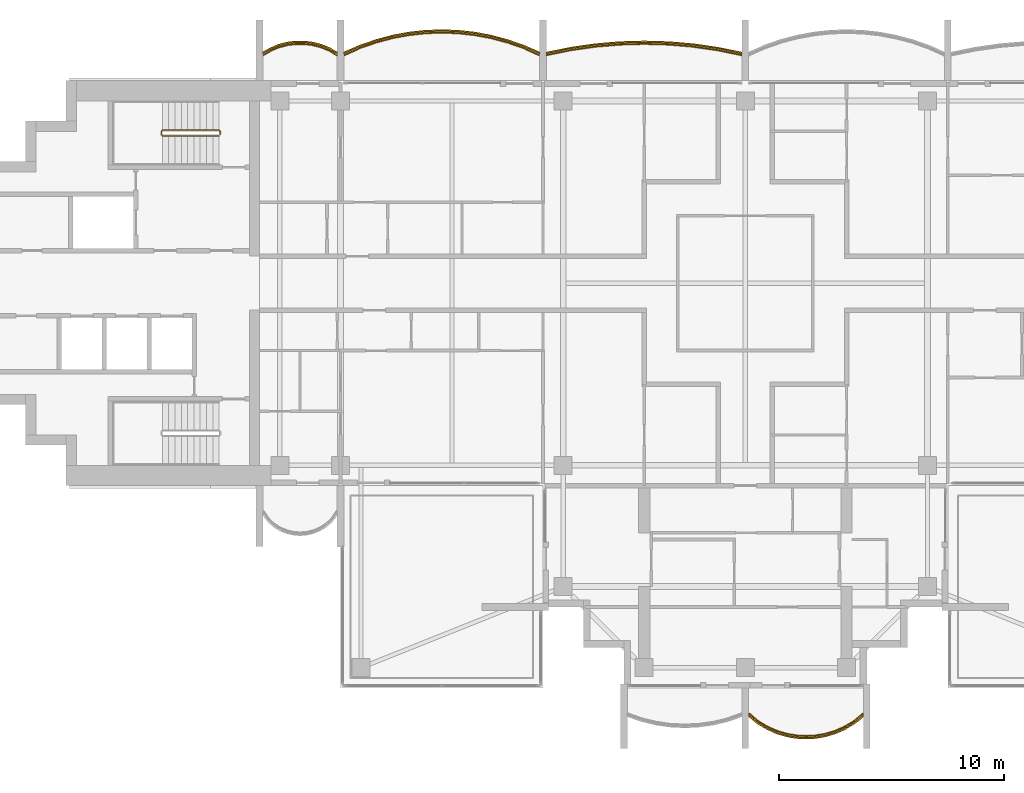
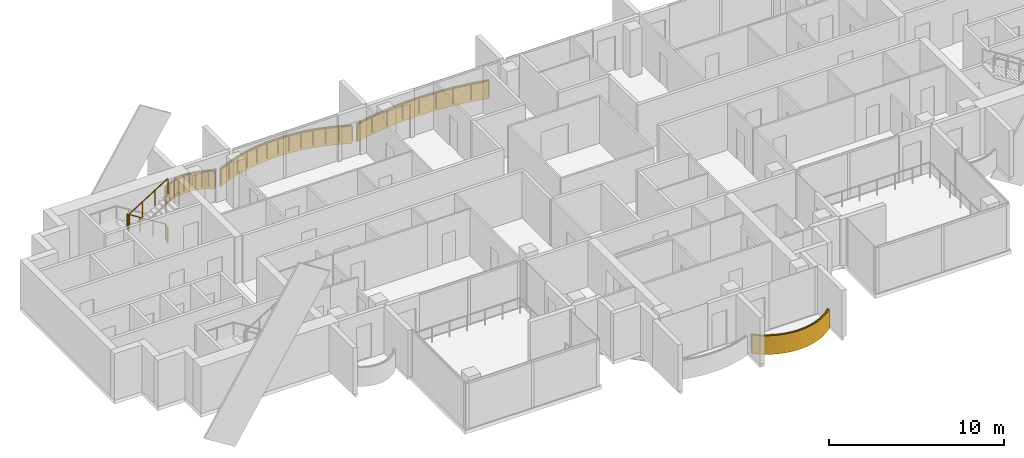
# One storey, part 14 of 16: 5 railings, 4 coverings.
"""IFC4 building model written with IfcOpenShell, lengths in metres."""

from ifc_helpers import new_model, si_unit, direction, frame, origin, origin_2d, place, context, subcontext, project, spatial, polyline, rectangle, outline, extrude, material, layer, layer_set, type_object, element, save


model = new_model("IFC4")

# Units and contexts
model_context = context("Model", 3, precision=1e-05, world=origin(), true_north=direction((0.0, 1.0)))
body_context = subcontext(model_context, "Body", "Model", "MODEL_VIEW")
ifc_project = project(units=[si_unit("LENGTHUNIT", "METRE"), si_unit("AREAUNIT", "SQUARE_METRE"), si_unit("VOLUMEUNIT", "CUBIC_METRE"), si_unit("PLANEANGLEUNIT", "RADIAN"), si_unit("MASSUNIT", "GRAM", prefix="KILO")], contexts=[model_context])

# Site, building, storey
site_placement = place(None, origin())
site = spatial("IfcSite", under=ifc_project, at=site_placement, CompositionType="ELEMENT")
building_placement = place(site_placement, origin())
building = spatial("IfcBuilding", under=site, at=building_placement, Name="Perihelion Cross Residences", CompositionType="ELEMENT")
storey_placement = place(building_placement, frame((0.0, 0.0, 271.0)))
storey = spatial("IfcBuildingStorey", under=building, at=storey_placement, Name="L69", CompositionType="ELEMENT", Elevation=271.0)

# Coverings
ifc_material_1 = material(Name="Bronze anodised aluminium", Category="aluminium")
ifc_layer = layer(ifc_material_1, 0.070068359375)
ifc_layer_set = layer_set([ifc_layer], Name="Balcony fascia 1300")
covering_type = type_object("IfcCoveringType", Name="Balcony fascia 1300", PredefinedType="CLADDING", material=ifc_layer_set)
covering_1_placement = place(storey_placement, frame((0.0, 0.0, -0.199951171875)))
element("IfcCovering", 1, at=covering_1_placement, inside=storey, type_object=covering_type, Name="Fascia BF1 L69 north side east bay 2", PredefinedType="CLADDING", context=body_context, shape_type="SweptSolid", body=[
    extrude(outline(polyline([(-1.2255859375, 10.4892578125), (-2.317138671875, 10.645751953125), (-3.408447265625, 10.739013671875), (-4.5, 10.77001953125), (-5.591552734375, 10.739013671875), (-6.682861328125, 10.645751953125), (-7.7744140625, 10.4892578125), (-8.85009765625, 10.271484375), (-8.85009765625, 10.199951171875), (-7.762451171875, 10.42041015625), (-6.675048828125, 10.576171875), (-5.58740234375, 10.669189453125), (-4.5, 10.699951171875), (-3.41259765625, 10.669189453125), (-2.324951171875, 10.576171875), (-1.237548828125, 10.42041015625), (-0.14990234375, 10.199951171875), (-0.14990234375, 10.271484375), (-1.2255859375, 10.4892578125)])), origin(), (0.0, 0.0, 1.0), 1.300048828125),
])
covering_2_placement = place(storey_placement, frame((0.0, 0.0, -0.199951171875)))
element("IfcCovering", 2, at=covering_2_placement, inside=storey, type_object=covering_type, Name="Fascia BF1 L69 west side north bay 1", PredefinedType="CLADDING", context=body_context, shape_type="SweptSolid", body=[
    extrude(outline(polyline([(-9.849365234375, 10.582275390625), (-10.57958984375, 10.83544921875), (-11.309814453125, 11.028076171875), (-12.039794921875, 11.1630859375), (-12.77001953125, 11.243408203125), (-13.5, 11.27001953125), (-14.22998046875, 11.243408203125), (-14.960205078125, 11.1630859375), (-15.690185546875, 11.028076171875), (-16.42041015625, 10.83544921875), (-17.150634765625, 10.582275390625), (-17.85009765625, 10.2763671875), (-17.85009765625, 10.199951171875), (-17.125, 10.51708984375), (-16.39990234375, 10.7685546875), (-15.675048828125, 10.959716796875), (-14.949951171875, 11.093994140625), (-14.22509765625, 11.173583984375), (-13.5, 11.199951171875), (-12.77490234375, 11.173583984375), (-12.050048828125, 11.093994140625), (-11.324951171875, 10.959716796875), (-10.60009765625, 10.7685546875), (-9.875, 10.51708984375), (-9.14990234375, 10.199951171875), (-9.14990234375, 10.2763671875), (-9.849365234375, 10.582275390625)])), origin(), (0.0, 0.0, 1.0), 1.300048828125),
])
covering_3_placement = place(storey_placement, frame((0.0, 0.0, -0.199951171875)))
element("IfcCovering", 3, at=covering_3_placement, inside=storey, type_object=covering_type, Name="Fascia BF1 L69 west side north bay 2", PredefinedType="CLADDING", context=body_context, shape_type="SweptSolid", body=[
    extrude(outline(polyline([(-18.486328125, 10.4716796875), (-18.861572265625, 10.62158203125), (-19.237060546875, 10.717529296875), (-19.6123046875, 10.76416015625), (-19.987548828125, 10.76416015625), (-20.363037109375, 10.717529296875), (-20.73828125, 10.62158203125), (-21.11376953125, 10.4716796875), (-21.449951171875, 10.280517578125), (-21.449951171875, 10.199951171875), (-21.083251953125, 10.40869140625), (-20.716552734375, 10.55517578125), (-20.35009765625, 10.648681640625), (-19.9833984375, 10.6943359375), (-19.61669921875, 10.6943359375), (-19.25, 10.648681640625), (-18.88330078125, 10.55517578125), (-18.5166015625, 10.40869140625), (-18.14990234375, 10.199951171875), (-18.14990234375, 10.280517578125), (-18.486328125, 10.4716796875)])), origin(), (0.0, 0.0, 1.0), 1.300048828125),
])
covering_4_placement = place(storey_placement, frame((0.0, 0.0, -0.199951171875)))
element("IfcCovering", 4, at=covering_4_placement, inside=storey, type_object=covering_type, Name="Fascia BF1 L69 south tip south bay 2", PredefinedType="CLADDING", context=body_context, shape_type="SweptSolid", body=[
    extrude(outline(polyline([(0.53515625, -19.59765625), (0.96826171875, -19.85498046875), (1.401123046875, -20.04248046875), (1.833984375, -20.170654296875), (2.26708984375, -20.245361328125), (2.699951171875, -20.27001953125), (3.133056640625, -20.245361328125), (3.56591796875, -20.170654296875), (3.998779296875, -20.04248046875), (4.431884765625, -19.85498046875), (4.86474609375, -19.59765625), (5.25, -19.28955078125), (5.25, -19.199951171875), (4.824951171875, -19.5400390625), (4.39990234375, -19.792724609375), (3.97509765625, -19.9765625), (3.550048828125, -20.1025390625), (3.125, -20.17578125), (2.699951171875, -20.199951171875), (2.27490234375, -20.17578125), (1.85009765625, -20.1025390625), (1.425048828125, -19.9765625), (1.0, -19.792724609375), (0.574951171875, -19.5400390625), (0.14990234375, -19.199951171875), (0.14990234375, -19.28955078125), (0.53515625, -19.59765625)])), origin(), (0.0, 0.0, 1.0), 1.300048828125),
])

# Railings
ifc_material_2 = material(Name="Bronze anodised aluminium", Category="aluminium")
railing_type_1 = type_object("IfcRailingType", Name="Balcony guard 1100", PredefinedType="GUARDRAIL", material=ifc_material_2)
railing_1_placement = place(storey_placement, frame((-0.175048828125, 10.139892578125, 0.0)))
element("IfcRailing", 5, at=railing_1_placement, inside=storey, type_object=railing_type_1, Name="Guard GU1 L69 north side east bay 2 balcony", PredefinedType="GUARDRAIL", context=body_context, shape_type="SweptSolid", body=[
    extrude(rectangle(XDim=0.048095703125, YDim=0.048095703125, at=origin_2d()), frame((0.0, 0.0, 1.076171875), z_axis=(-0.979144816647, 0.203163549961, 0.0), x_axis=(-0.203163549961, -0.979144816647, 0.0)), (0.0, 0.0, 1.0), 1.085205078125),
    extrude(rectangle(XDim=0.048095703125, YDim=0.048095703125, at=origin_2d()), frame((-1.0625, 0.220458984375, 1.076171875), z_axis=(-0.98989608354, 0.141794724135, 0.0), x_axis=(-0.141794724135, -0.98989608354, 0.0)), (0.0, 0.0, 1.0), 1.098388671875),
    extrude(rectangle(XDim=0.048095703125, YDim=0.048095703125, at=origin_2d()), frame((-2.14990234375, 0.376220703125, 1.076171875), z_axis=(-0.996362942492, 0.085210837506, 0.0), x_axis=(-0.085210837506, -0.996362942492, 0.0)), (0.0, 0.0, 1.0), 1.091552734375),
    extrude(rectangle(XDim=0.048095703125, YDim=0.048095703125, at=origin_2d()), frame((-3.237548828125, 0.46923828125, 1.076171875), z_axis=(-0.999600101203, 0.028277865458, 0.0), x_axis=(-0.028277865458, -0.999600101203, 0.0)), (0.0, 0.0, 1.0), 1.087890625),
    extrude(rectangle(XDim=0.048095703125, YDim=0.048095703125, at=origin_2d()), frame((-4.324951171875, 0.5, 1.076171875), z_axis=(-0.999600101203, -0.028277865458, 0.0), x_axis=(0.028277865458, -0.999600101203, 0.0)), (0.0, 0.0, 1.0), 1.087890625),
    extrude(rectangle(XDim=0.048095703125, YDim=0.048095703125, at=origin_2d()), frame((-5.412353515625, 0.46923828125, 1.076171875), z_axis=(-0.996362942492, -0.085210837506, 0.0), x_axis=(0.085210837506, -0.996362942492, 0.0)), (0.0, 0.0, 1.0), 1.091552734375),
    extrude(rectangle(XDim=0.048095703125, YDim=0.048095703125, at=origin_2d()), frame((-6.5, 0.376220703125, 1.076171875), z_axis=(-0.98989608354, -0.141794724135, 0.0), x_axis=(0.141794724135, -0.98989608354, 0.0)), (0.0, 0.0, 1.0), 1.098388671875),
    extrude(rectangle(XDim=0.048095703125, YDim=0.048095703125, at=origin_2d()), frame((-7.58740234375, 0.220458984375, 1.076171875), z_axis=(-0.979144816647, -0.203163549961, 0.0), x_axis=(0.203163549961, -0.979144816647, 0.0)), (0.0, 0.0, 1.0), 1.085205078125),
    extrude(rectangle(XDim=0.0419921875, YDim=0.0419921875, at=origin_2d()), origin(), (0.0, 0.0, 1.0), 1.052001953125),
    extrude(rectangle(XDim=0.0419921875, YDim=0.0419921875, at=origin_2d()), frame((-1.0625, 0.220458984375, 0.0)), (0.0, 0.0, 1.0), 1.052001953125),
    extrude(rectangle(XDim=0.0419921875, YDim=0.0419921875, at=origin_2d()), frame((-2.14990234375, 0.376220703125, 0.0)), (0.0, 0.0, 1.0), 1.052001953125),
    extrude(rectangle(XDim=0.0419921875, YDim=0.0419921875, at=origin_2d()), frame((-3.237548828125, 0.46923828125, 0.0)), (0.0, 0.0, 1.0), 1.052001953125),
    extrude(rectangle(XDim=0.0419921875, YDim=0.0419921875, at=origin_2d()), frame((-4.324951171875, 0.5, 0.0)), (0.0, 0.0, 1.0), 1.052001953125),
    extrude(rectangle(XDim=0.0419921875, YDim=0.0419921875, at=origin_2d()), frame((-5.412353515625, 0.46923828125, 0.0)), (0.0, 0.0, 1.0), 1.052001953125),
    extrude(rectangle(XDim=0.0419921875, YDim=0.0419921875, at=origin_2d()), frame((-6.5, 0.376220703125, 0.0)), (0.0, 0.0, 1.0), 1.052001953125),
    extrude(rectangle(XDim=0.0419921875, YDim=0.0419921875, at=origin_2d()), frame((-7.58740234375, 0.220458984375, 0.0)), (0.0, 0.0, 1.0), 1.052001953125),
    extrude(rectangle(XDim=0.0419921875, YDim=0.0419921875, at=origin_2d()), frame((-8.64990234375, 0.0, 0.0)), (0.0, 0.0, 1.0), 1.052001953125),
])
railing_2_placement = place(storey_placement, frame((-9.175048828125, 10.139892578125, 0.0)))
element("IfcRailing", 6, at=railing_2_placement, inside=storey, type_object=railing_type_1, Name="Guard GU1 L69 west side north bay 1 balcony", PredefinedType="GUARDRAIL", context=body_context, shape_type="SweptSolid", body=[
    extrude(rectangle(XDim=0.048095703125, YDim=0.048095703125, at=origin_2d()), frame((0.0, 0.0, 1.076171875), z_axis=(-0.910866309087, 0.412701547089, 0.0), x_axis=(-0.412701547089, -0.910866309087, 0.0)), (0.0, 0.0, 1.0), 0.7685546875),
    extrude(rectangle(XDim=0.048095703125, YDim=0.048095703125, at=origin_2d()), frame((-0.699951171875, 0.317138671875, 1.076171875), z_axis=(-0.944796812452, 0.327656807012, 0.0), x_axis=(-0.327656807012, -0.944796812452, 0.0)), (0.0, 0.0, 1.0), 0.767578125),
    extrude(rectangle(XDim=0.048095703125, YDim=0.048095703125, at=origin_2d()), frame((-1.425048828125, 0.568603515625, 1.076171875), z_axis=(-0.966939404945, 0.255006249266, 0.0), x_axis=(-0.255006249266, -0.966939404945, 0.0)), (0.0, 0.0, 1.0), 0.749755859375),
    extrude(rectangle(XDim=0.048095703125, YDim=0.048095703125, at=origin_2d()), frame((-2.14990234375, 0.759765625, 1.076171875), z_axis=(-0.983282004984, 0.182089260182, 0.0), x_axis=(-0.182089260182, -0.983282004984, 0.0)), (0.0, 0.0, 1.0), 0.7373046875),
    extrude(rectangle(XDim=0.048095703125, YDim=0.048095703125, at=origin_2d()), frame((-2.875, 0.89404296875, 1.076171875), z_axis=(-0.994025805622, 0.109145305703, 0.0), x_axis=(-0.109145305703, -0.994025805622, 0.0)), (0.0, 0.0, 1.0), 0.729248046875),
    extrude(rectangle(XDim=0.048095703125, YDim=0.048095703125, at=origin_2d()), frame((-3.599853515625, 0.9736328125, 1.076171875), z_axis=(-0.999339497946, 0.036339618107, 0.0), x_axis=(-0.036339618107, -0.999339497946, 0.0)), (0.0, 0.0, 1.0), 0.7255859375),
    extrude(rectangle(XDim=0.048095703125, YDim=0.048095703125, at=origin_2d()), frame((-4.324951171875, 1.0, 1.076171875), z_axis=(-0.999339497946, -0.036339618107, 0.0), x_axis=(0.036339618107, -0.999339497946, 0.0)), (0.0, 0.0, 1.0), 0.7255859375),
    extrude(rectangle(XDim=0.048095703125, YDim=0.048095703125, at=origin_2d()), frame((-5.050048828125, 0.9736328125, 1.076171875), z_axis=(-0.994025805622, -0.109145305703, 0.0), x_axis=(0.109145305703, -0.994025805622, 0.0)), (0.0, 0.0, 1.0), 0.729248046875),
    extrude(rectangle(XDim=0.048095703125, YDim=0.048095703125, at=origin_2d()), frame((-5.77490234375, 0.89404296875, 1.076171875), z_axis=(-0.983282004984, -0.182089260182, 0.0), x_axis=(0.182089260182, -0.983282004984, 0.0)), (0.0, 0.0, 1.0), 0.7373046875),
    extrude(rectangle(XDim=0.048095703125, YDim=0.048095703125, at=origin_2d()), frame((-6.5, 0.759765625, 1.076171875), z_axis=(-0.966939404945, -0.255006249266, 0.0), x_axis=(0.255006249266, -0.966939404945, 0.0)), (0.0, 0.0, 1.0), 0.749755859375),
    extrude(rectangle(XDim=0.048095703125, YDim=0.048095703125, at=origin_2d()), frame((-7.224853515625, 0.568603515625, 1.076171875), z_axis=(-0.944796812452, -0.327656807012, 0.0), x_axis=(0.327656807012, -0.944796812452, 0.0)), (0.0, 0.0, 1.0), 0.767578125),
    extrude(rectangle(XDim=0.048095703125, YDim=0.048095703125, at=origin_2d()), frame((-7.949951171875, 0.317138671875, 1.076171875), z_axis=(-0.910866309087, -0.412701547089, 0.0), x_axis=(0.412701547089, -0.910866309087, 0.0)), (0.0, 0.0, 1.0), 0.7685546875),
    extrude(rectangle(XDim=0.0419921875, YDim=0.0419921875, at=origin_2d()), origin(), (0.0, 0.0, 1.0), 1.052001953125),
    extrude(rectangle(XDim=0.0419921875, YDim=0.0419921875, at=origin_2d()), frame((-0.699951171875, 0.317138671875, 0.0)), (0.0, 0.0, 1.0), 1.052001953125),
    extrude(rectangle(XDim=0.0419921875, YDim=0.0419921875, at=origin_2d()), frame((-1.425048828125, 0.568603515625, 0.0)), (0.0, 0.0, 1.0), 1.052001953125),
    extrude(rectangle(XDim=0.0419921875, YDim=0.0419921875, at=origin_2d()), frame((-2.14990234375, 0.759765625, 0.0)), (0.0, 0.0, 1.0), 1.052001953125),
    extrude(rectangle(XDim=0.0419921875, YDim=0.0419921875, at=origin_2d()), frame((-2.875, 0.89404296875, 0.0)), (0.0, 0.0, 1.0), 1.052001953125),
    extrude(rectangle(XDim=0.0419921875, YDim=0.0419921875, at=origin_2d()), frame((-3.599853515625, 0.9736328125, 0.0)), (0.0, 0.0, 1.0), 1.052001953125),
    extrude(rectangle(XDim=0.0419921875, YDim=0.0419921875, at=origin_2d()), frame((-4.324951171875, 1.0, 0.0)), (0.0, 0.0, 1.0), 1.052001953125),
    extrude(rectangle(XDim=0.0419921875, YDim=0.0419921875, at=origin_2d()), frame((-5.050048828125, 0.9736328125, 0.0)), (0.0, 0.0, 1.0), 1.052001953125),
    extrude(rectangle(XDim=0.0419921875, YDim=0.0419921875, at=origin_2d()), frame((-5.77490234375, 0.89404296875, 0.0)), (0.0, 0.0, 1.0), 1.052001953125),
    extrude(rectangle(XDim=0.0419921875, YDim=0.0419921875, at=origin_2d()), frame((-6.5, 0.759765625, 0.0)), (0.0, 0.0, 1.0), 1.052001953125),
    extrude(rectangle(XDim=0.0419921875, YDim=0.0419921875, at=origin_2d()), frame((-7.224853515625, 0.568603515625, 0.0)), (0.0, 0.0, 1.0), 1.052001953125),
    extrude(rectangle(XDim=0.0419921875, YDim=0.0419921875, at=origin_2d()), frame((-7.949951171875, 0.317138671875, 0.0)), (0.0, 0.0, 1.0), 1.052001953125),
    extrude(rectangle(XDim=0.0419921875, YDim=0.0419921875, at=origin_2d()), frame((-8.64990234375, 0.0, 0.0)), (0.0, 0.0, 1.0), 1.052001953125),
])
railing_3_placement = place(storey_placement, frame((-18.175048828125, 10.139892578125, 0.0)))
element("IfcRailing", 7, at=railing_3_placement, inside=storey, type_object=railing_type_1, Name="Guard GU1 L69 west side north bay 2 balcony", PredefinedType="GUARDRAIL", context=body_context, shape_type="SweptSolid", body=[
    extrude(rectangle(XDim=0.048095703125, YDim=0.048095703125, at=origin_2d()), frame((0.0, 0.0, 1.076171875), z_axis=(-0.853266756821, 0.52147467983, 0.0), x_axis=(-0.52147467983, -0.853266756821, 0.0)), (0.0, 0.0, 1.0), 0.400390625),
    extrude(rectangle(XDim=0.048095703125, YDim=0.048095703125, at=origin_2d()), frame((-0.341552734375, 0.208740234375, 1.076171875), z_axis=(-0.928647151248, 0.37096424151, 0.0), x_axis=(-0.37096424151, -0.928647151248, 0.0)), (0.0, 0.0, 1.0), 0.394775390625),
    extrude(rectangle(XDim=0.048095703125, YDim=0.048095703125, at=origin_2d()), frame((-0.708251953125, 0.355224609375, 1.076171875), z_axis=(-0.968993337782, 0.247086849781, 0.0), x_axis=(-0.247086849781, -0.968993337782, 0.0)), (0.0, 0.0, 1.0), 0.37841796875),
    extrude(rectangle(XDim=0.048095703125, YDim=0.048095703125, at=origin_2d()), frame((-1.074951171875, 0.44873046875, 1.076171875), z_axis=(-0.992338742457, 0.123546834114, 0.0), x_axis=(-0.123546834114, -0.992338742457, 0.0)), (0.0, 0.0, 1.0), 0.36962890625),
    extrude(rectangle(XDim=0.048095703125, YDim=0.048095703125, at=origin_2d()), frame((-1.441650390625, 0.494384765625, 1.076171875), z_axis=(-1.0, 0.0, 0.0), x_axis=(0.0, -1.0, 0.0)), (0.0, 0.0, 1.0), 0.36669921875),
    extrude(rectangle(XDim=0.048095703125, YDim=0.048095703125, at=origin_2d()), frame((-1.808349609375, 0.494384765625, 1.076171875), z_axis=(-0.992338742457, -0.123546834114, 0.0), x_axis=(0.123546834114, -0.992338742457, 0.0)), (0.0, 0.0, 1.0), 0.36962890625),
    extrude(rectangle(XDim=0.048095703125, YDim=0.048095703125, at=origin_2d()), frame((-2.175048828125, 0.44873046875, 1.076171875), z_axis=(-0.968953914071, -0.247241405123, 0.0), x_axis=(0.247241405123, -0.968953914071, 0.0)), (0.0, 0.0, 1.0), 0.378173828125),
    extrude(rectangle(XDim=0.048095703125, YDim=0.048095703125, at=origin_2d()), frame((-2.54150390625, 0.355224609375, 1.076171875), z_axis=(-0.928647151248, -0.37096424151, 0.0), x_axis=(0.37096424151, -0.928647151248, 0.0)), (0.0, 0.0, 1.0), 0.394775390625),
    extrude(rectangle(XDim=0.048095703125, YDim=0.048095703125, at=origin_2d()), frame((-2.908203125, 0.208740234375, 1.076171875), z_axis=(-0.853432484338, -0.521203410078, 0.0), x_axis=(0.521203410078, -0.853432484338, 0.0)), (0.0, 0.0, 1.0), 0.400390625),
    extrude(rectangle(XDim=0.0419921875, YDim=0.0419921875, at=origin_2d()), origin(), (0.0, 0.0, 1.0), 1.052001953125),
    extrude(rectangle(XDim=0.0419921875, YDim=0.0419921875, at=origin_2d()), frame((-0.341552734375, 0.208740234375, 0.0)), (0.0, 0.0, 1.0), 1.052001953125),
    extrude(rectangle(XDim=0.0419921875, YDim=0.0419921875, at=origin_2d()), frame((-0.708251953125, 0.355224609375, 0.0)), (0.0, 0.0, 1.0), 1.052001953125),
    extrude(rectangle(XDim=0.0419921875, YDim=0.0419921875, at=origin_2d()), frame((-1.074951171875, 0.44873046875, 0.0)), (0.0, 0.0, 1.0), 1.052001953125),
    extrude(rectangle(XDim=0.0419921875, YDim=0.0419921875, at=origin_2d()), frame((-1.441650390625, 0.494384765625, 0.0)), (0.0, 0.0, 1.0), 1.052001953125),
    extrude(rectangle(XDim=0.0419921875, YDim=0.0419921875, at=origin_2d()), frame((-1.808349609375, 0.494384765625, 0.0)), (0.0, 0.0, 1.0), 1.052001953125),
    extrude(rectangle(XDim=0.0419921875, YDim=0.0419921875, at=origin_2d()), frame((-2.175048828125, 0.44873046875, 0.0)), (0.0, 0.0, 1.0), 1.052001953125),
    extrude(rectangle(XDim=0.0419921875, YDim=0.0419921875, at=origin_2d()), frame((-2.54150390625, 0.355224609375, 0.0)), (0.0, 0.0, 1.0), 1.052001953125),
    extrude(rectangle(XDim=0.0419921875, YDim=0.0419921875, at=origin_2d()), frame((-2.908203125, 0.208740234375, 0.0)), (0.0, 0.0, 1.0), 1.052001953125),
    extrude(rectangle(XDim=0.0419921875, YDim=0.0419921875, at=origin_2d()), frame((-3.25, 0.0, 0.0)), (0.0, 0.0, 1.0), 1.052001953125),
])
railing_4_placement = place(storey_placement, frame((0.175048828125, -19.139892578125, 0.0)))
element("IfcRailing", 8, at=railing_4_placement, inside=storey, type_object=railing_type_1, Name="Guard GU1 L69 south tip south bay 2 balcony", PredefinedType="GUARDRAIL", context=body_context, shape_type="SweptSolid", body=[
    extrude(rectangle(XDim=0.048095703125, YDim=0.048095703125, at=origin_2d()), frame((0.0, 0.0, 1.076171875), z_axis=(0.761778647315, -0.647837396648, 0.0), x_axis=(0.647837396648, 0.761778647315, 0.0)), (0.0, 0.0, 1.0), 0.52490234375),
    extrude(rectangle(XDim=0.048095703125, YDim=0.048095703125, at=origin_2d()), frame((0.39990234375, -0.340087890625, 1.076171875), z_axis=(0.859576918062, -0.511006381501, 0.0), x_axis=(0.511006381501, 0.859576918062, 0.0)), (0.0, 0.0, 1.0), 0.494384765625),
    extrude(rectangle(XDim=0.048095703125, YDim=0.048095703125, at=origin_2d()), frame((0.824951171875, -0.5927734375, 1.076171875), z_axis=(0.917638931453, -0.397415137459, 0.0), x_axis=(0.397415137459, 0.917638931453, 0.0)), (0.0, 0.0, 1.0), 0.463134765625),
    extrude(rectangle(XDim=0.048095703125, YDim=0.048095703125, at=origin_2d()), frame((1.25, -0.77685546875, 1.076171875), z_axis=(0.958925815697, -0.283656975924, 0.0), x_axis=(0.283656975924, 0.958925815697, 0.0)), (0.0, 0.0, 1.0), 0.443359375),
    extrude(rectangle(XDim=0.048095703125, YDim=0.048095703125, at=origin_2d()), frame((1.675048828125, -0.902587890625, 1.076171875), z_axis=(0.985365142702, -0.170456843651, 0.0), x_axis=(0.170456843651, 0.985365142702, 0.0)), (0.0, 0.0, 1.0), 0.43115234375),
    extrude(rectangle(XDim=0.048095703125, YDim=0.048095703125, at=origin_2d()), frame((2.099853515625, -0.97607421875, 1.076171875), z_axis=(0.9984195016, -0.056200523353, 0.0), x_axis=(0.056200523353, 0.9984195016, 0.0)), (0.0, 0.0, 1.0), 0.42578125),
    extrude(rectangle(XDim=0.048095703125, YDim=0.048095703125, at=origin_2d()), frame((2.52490234375, -1.0, 1.076171875), z_axis=(0.9984195016, 0.056200523353, 0.0), x_axis=(-0.056200523353, 0.9984195016, 0.0)), (0.0, 0.0, 1.0), 0.42578125),
    extrude(rectangle(XDim=0.048095703125, YDim=0.048095703125, at=origin_2d()), frame((2.949951171875, -0.97607421875, 1.076171875), z_axis=(0.985381583142, 0.17036177859, 0.0), x_axis=(-0.17036177859, 0.985381583142, 0.0)), (0.0, 0.0, 1.0), 0.431396484375),
    extrude(rectangle(XDim=0.048095703125, YDim=0.048095703125, at=origin_2d()), frame((3.375, -0.902587890625, 1.076171875), z_axis=(0.958925815697, 0.283656975924, 0.0), x_axis=(-0.283656975924, 0.958925815697, 0.0)), (0.0, 0.0, 1.0), 0.443359375),
    extrude(rectangle(XDim=0.048095703125, YDim=0.048095703125, at=origin_2d()), frame((3.800048828125, -0.77685546875, 1.076171875), z_axis=(0.91755562531, 0.397607437634, 0.0), x_axis=(-0.397607437634, 0.91755562531, 0.0)), (0.0, 0.0, 1.0), 0.462890625),
    extrude(rectangle(XDim=0.048095703125, YDim=0.048095703125, at=origin_2d()), frame((4.224853515625, -0.5927734375, 1.076171875), z_axis=(0.859576918062, 0.511006381501, 0.0), x_axis=(-0.511006381501, 0.859576918062, 0.0)), (0.0, 0.0, 1.0), 0.494384765625),
    extrude(rectangle(XDim=0.048095703125, YDim=0.048095703125, at=origin_2d()), frame((4.64990234375, -0.340087890625, 1.076171875), z_axis=(0.761973728849, 0.647607934281, 0.0), x_axis=(-0.647607934281, 0.761973728849, 0.0)), (0.0, 0.0, 1.0), 0.525146484375),
    extrude(rectangle(XDim=0.0419921875, YDim=0.0419921875, at=origin_2d()), origin(), (0.0, 0.0, 1.0), 1.052001953125),
    extrude(rectangle(XDim=0.0419921875, YDim=0.0419921875, at=origin_2d()), frame((0.39990234375, -0.340087890625, 0.0)), (0.0, 0.0, 1.0), 1.052001953125),
    extrude(rectangle(XDim=0.0419921875, YDim=0.0419921875, at=origin_2d()), frame((0.824951171875, -0.5927734375, 0.0)), (0.0, 0.0, 1.0), 1.052001953125),
    extrude(rectangle(XDim=0.0419921875, YDim=0.0419921875, at=origin_2d()), frame((1.25, -0.77685546875, 0.0)), (0.0, 0.0, 1.0), 1.052001953125),
    extrude(rectangle(XDim=0.0419921875, YDim=0.0419921875, at=origin_2d()), frame((1.675048828125, -0.902587890625, 0.0)), (0.0, 0.0, 1.0), 1.052001953125),
    extrude(rectangle(XDim=0.0419921875, YDim=0.0419921875, at=origin_2d()), frame((2.099853515625, -0.97607421875, 0.0)), (0.0, 0.0, 1.0), 1.052001953125),
    extrude(rectangle(XDim=0.0419921875, YDim=0.0419921875, at=origin_2d()), frame((2.52490234375, -1.0, 0.0)), (0.0, 0.0, 1.0), 1.052001953125),
    extrude(rectangle(XDim=0.0419921875, YDim=0.0419921875, at=origin_2d()), frame((2.949951171875, -0.97607421875, 0.0)), (0.0, 0.0, 1.0), 1.052001953125),
    extrude(rectangle(XDim=0.0419921875, YDim=0.0419921875, at=origin_2d()), frame((3.375, -0.902587890625, 0.0)), (0.0, 0.0, 1.0), 1.052001953125),
    extrude(rectangle(XDim=0.0419921875, YDim=0.0419921875, at=origin_2d()), frame((3.800048828125, -0.77685546875, 0.0)), (0.0, 0.0, 1.0), 1.052001953125),
    extrude(rectangle(XDim=0.0419921875, YDim=0.0419921875, at=origin_2d()), frame((4.224853515625, -0.5927734375, 0.0)), (0.0, 0.0, 1.0), 1.052001953125),
    extrude(rectangle(XDim=0.0419921875, YDim=0.0419921875, at=origin_2d()), frame((4.64990234375, -0.340087890625, 0.0)), (0.0, 0.0, 1.0), 1.052001953125),
    extrude(rectangle(XDim=0.0419921875, YDim=0.0419921875, at=origin_2d()), frame((5.050048828125, 0.0, 0.0)), (0.0, 0.0, 1.0), 1.052001953125),
])
ifc_material_3 = material(Name="Stainless steel", Category="steel")
railing_type_2 = type_object("IfcRailingType", Name="Stair guard 1100", PredefinedType="GUARDRAIL", material=ifc_material_3)
railing_5_placement = place(storey_placement, frame((-23.35009765625, 6.60009765625, 0.0)))
element("IfcRailing", 9, at=railing_5_placement, inside=storey, type_object=railing_type_2, Name="L69 ST-W1 stair guard 1", PredefinedType="GUARDRAIL", context=body_context, shape_type="SweptSolid", body=[
    extrude(rectangle(XDim=0.048095703125, YDim=0.048095703125, at=origin_2d()), frame((0.0, 0.0, 1.076171875), z_axis=(0.0, 1.0, 0.0), x_axis=(-1.0, 0.0, 0.0)), (0.0, 0.0, 1.0), 0.14990234375),
    extrude(rectangle(XDim=0.048095703125, YDim=0.048095703125, at=origin_2d()), frame((0.0, 0.14990234375, 1.076171875), z_axis=(-0.263862480399, 0.265155923931, 0.927399011991), x_axis=(-0.708833529934, -0.705375805398, 0.0)), (0.0, 0.0, 1.0), 0.188720703125),
    extrude(rectangle(XDim=0.048095703125, YDim=0.048095703125, at=origin_2d()), frame((-0.0498046875, 0.199951171875, 1.2509765625), z_axis=(-0.848007534815, 0.0, 0.529984170421), x_axis=(0.0, -1.0, 0.0)), (0.0, 0.0, 1.0), 2.9716796875),
    extrude(rectangle(XDim=0.048095703125, YDim=0.048095703125, at=origin_2d()), frame((-2.56982421875, 0.199951171875, 2.826171875), z_axis=(-0.707106781187, -0.707106781187, 0.0), x_axis=(0.707106781187, -0.707106781187, 0.0)), (0.0, 0.0, 1.0), 0.07080078125),
    extrude(rectangle(XDim=0.048095703125, YDim=0.048095703125, at=origin_2d()), frame((-2.619873046875, 0.14990234375, 2.826171875), z_axis=(0.0, -1.0, 0.0), x_axis=(1.0, 0.0, 0.0)), (0.0, 0.0, 1.0), 0.14990234375),
    extrude(rectangle(XDim=0.048095703125, YDim=0.048095703125, at=origin_2d()), frame((-2.619873046875, 0.0, 2.826171875), z_axis=(0.265065253269, -0.265065253269, 0.927081885822), x_axis=(0.707106781187, 0.707106781187, 0.0)), (0.0, 0.0, 1.0), 0.188720703125),
    extrude(rectangle(XDim=0.048095703125, YDim=0.048095703125, at=origin_2d()), frame((-2.56982421875, -0.050048828125, 3.0009765625), z_axis=(0.848007534815, 0.0, 0.529984170421), x_axis=(0.0, 1.0, 0.0)), (0.0, 0.0, 1.0), 2.9716796875),
    extrude(rectangle(XDim=0.0419921875, YDim=0.0419921875, at=origin_2d()), origin(), (0.0, 0.0, 1.0), 1.052001953125),
    extrude(rectangle(XDim=0.0419921875, YDim=0.0419921875, at=origin_2d()), frame((0.0, 0.14990234375, 0.0)), (0.0, 0.0, 1.0), 1.052001953125),
    extrude(rectangle(XDim=0.0419921875, YDim=0.0419921875, at=origin_2d()), frame((-0.0498046875, 0.199951171875, 0.175048828125)), (0.0, 0.0, 1.0), 1.052001953125),
    extrude(rectangle(XDim=0.0419921875, YDim=0.0419921875, at=origin_2d()), frame((-0.889892578125, 0.199951171875, 0.699951171875)), (0.0, 0.0, 1.0), 1.052001953125),
    extrude(rectangle(XDim=0.0419921875, YDim=0.0419921875, at=origin_2d()), frame((-1.729736328125, 0.199951171875, 1.22509765625)), (0.0, 0.0, 1.0), 1.052001953125),
    extrude(rectangle(XDim=0.0419921875, YDim=0.0419921875, at=origin_2d()), frame((-2.56982421875, 0.199951171875, 1.75)), (0.0, 0.0, 1.0), 1.052001953125),
    extrude(rectangle(XDim=0.0419921875, YDim=0.0419921875, at=origin_2d()), frame((-2.619873046875, 0.14990234375, 1.75)), (0.0, 0.0, 1.0), 1.052001953125),
    extrude(rectangle(XDim=0.0419921875, YDim=0.0419921875, at=origin_2d()), frame((-2.619873046875, 0.0, 1.75)), (0.0, 0.0, 1.0), 1.052001953125),
    extrude(rectangle(XDim=0.0419921875, YDim=0.0419921875, at=origin_2d()), frame((-2.56982421875, -0.050048828125, 1.925048828125)), (0.0, 0.0, 1.0), 1.052001953125),
    extrude(rectangle(XDim=0.0419921875, YDim=0.0419921875, at=origin_2d()), frame((-1.729736328125, -0.050048828125, 2.449951171875)), (0.0, 0.0, 1.0), 1.052001953125),
    extrude(rectangle(XDim=0.0419921875, YDim=0.0419921875, at=origin_2d()), frame((-0.889892578125, -0.050048828125, 2.97509765625)), (0.0, 0.0, 1.0), 1.052001953125),
    extrude(rectangle(XDim=0.0419921875, YDim=0.0419921875, at=origin_2d()), frame((-0.0498046875, -0.050048828125, 3.5)), (0.0, 0.0, 1.0), 1.052001953125),
])

save(model, "model.ifc")
